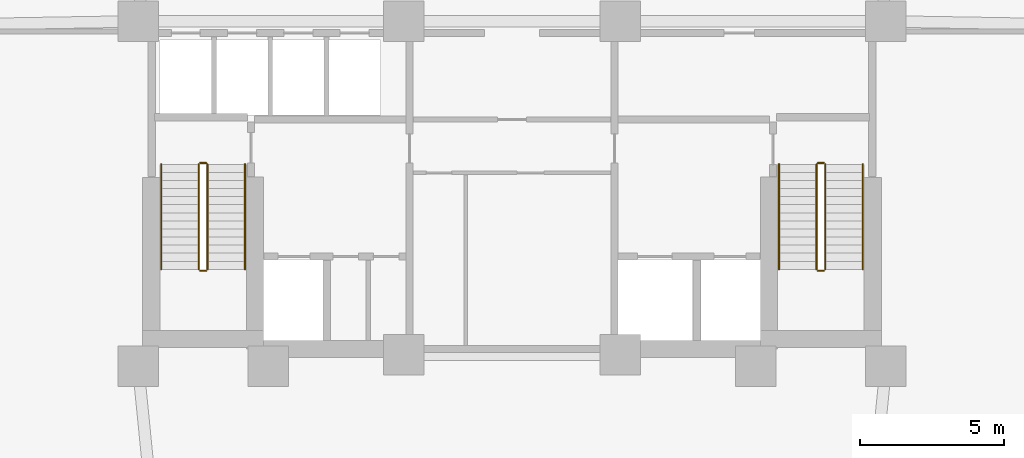
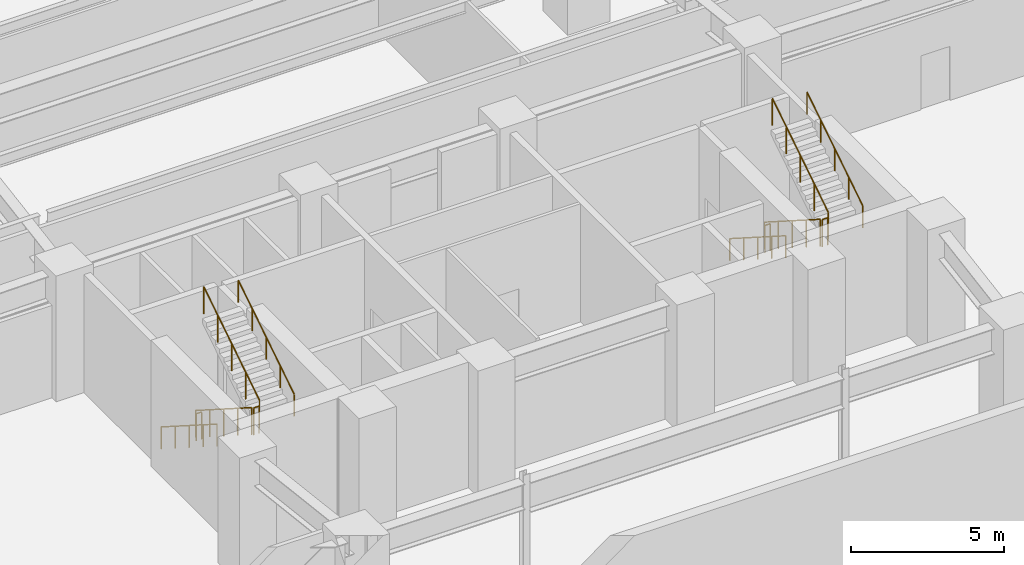
# One storey, part 10 of 12: 12 railings.
"""IFC4 building model written with IfcOpenShell, lengths in metres."""

from ifc_helpers import new_model, si_unit, direction, frame, origin, origin_2d, place, context, subcontext, project, spatial, circle, extrude, material, type_object, element, save


model = new_model("IFC4")

# Units and contexts
model_context = context("Model", 3, precision=1e-05, world=origin(), true_north=direction((0.0, 1.0)))
body_context = subcontext(model_context, "Body", "Model", "MODEL_VIEW")
ifc_project = project(units=[si_unit("LENGTHUNIT", "METRE"), si_unit("AREAUNIT", "SQUARE_METRE"), si_unit("VOLUMEUNIT", "CUBIC_METRE"), si_unit("PLANEANGLEUNIT", "RADIAN"), si_unit("MASSUNIT", "GRAM", prefix="KILO")], contexts=[model_context])

# Site, building, storey
site_placement = place(None, origin())
site = spatial("IfcSite", under=ifc_project, at=site_placement, CompositionType="ELEMENT")
building_placement = place(site_placement, origin())
building = spatial("IfcBuilding", under=site, at=building_placement, Name="Quenlor Broadcast Tower", CompositionType="ELEMENT")
storey_placement = place(building_placement, frame((0.0, 0.0, -5.0)))
storey = spatial("IfcBuildingStorey", under=building, at=storey_placement, Name="B01", CompositionType="ELEMENT", Elevation=-5.0)

# Railings
ifc_material_1 = material(Name="Anodised Aluminium", Category="aluminium")
railing_type_1 = type_object("IfcRailingType", Name="Stainless Aluminium Wall Handrail 900", PredefinedType="HANDRAIL", material=ifc_material_1)
railing_1_placement = place(storey_placement, frame((-12.14990234375, -9.75, 0.178466796875)))
element("IfcRailing", 1, at=railing_1_placement, inside=storey, type_object=railing_type_1, Name="B01 ST-1 stair handrail 1", PredefinedType="HANDRAIL", context=body_context, shape_type="SweptSolid", body=[
    extrude(circle(Radius=0.02392578125, at=origin_2d()), frame((0.0, 0.0, 0.8759765625), z_axis=(0.0, -0.843111507901, 0.53773877045), x_axis=(1.0, 0.0, 0.0)), (0.0, 0.0, 1.0), 4.317138671875),
    extrude(circle(Radius=0.02099609375, at=origin_2d()), origin(), (0.0, 0.0, 1.0), 0.851806640625),
    extrude(circle(Radius=0.02099609375, at=origin_2d()), frame((0.0, -0.909912109375, 0.580322265625)), (0.0, 0.0, 1.0), 0.851806640625),
    extrude(circle(Radius=0.02099609375, at=origin_2d()), frame((0.0, -1.81982421875, 1.16064453125)), (0.0, 0.0, 1.0), 0.851806640625),
    extrude(circle(Radius=0.02099609375, at=origin_2d()), frame((0.0, -2.72998046875, 1.7412109375)), (0.0, 0.0, 1.0), 0.851806640625),
    extrude(circle(Radius=0.02099609375, at=origin_2d()), frame((0.0, -3.639892578125, 2.321533203125)), (0.0, 0.0, 1.0), 0.851806640625),
])
railing_2_placement = place(storey_placement, frame((-9.25, -13.389892578125, 2.678466796875)))
element("IfcRailing", 2, at=railing_2_placement, inside=storey, type_object=railing_type_1, Name="B01 ST-1 stair handrail 2", PredefinedType="HANDRAIL", context=body_context, shape_type="SweptSolid", body=[
    extrude(circle(Radius=0.02392578125, at=origin_2d()), frame((0.0, 0.0, 0.8759765625), z_axis=(0.0, 0.843111507901, 0.53773877045), x_axis=(-1.0, 0.0, 0.0)), (0.0, 0.0, 1.0), 4.317138671875),
    extrude(circle(Radius=0.02099609375, at=origin_2d()), origin(), (0.0, 0.0, 1.0), 0.851806640625),
    extrude(circle(Radius=0.02099609375, at=origin_2d()), frame((0.0, 0.909912109375, 0.580322265625)), (0.0, 0.0, 1.0), 0.851806640625),
    extrude(circle(Radius=0.02099609375, at=origin_2d()), frame((0.0, 1.81982421875, 1.16064453125)), (0.0, 0.0, 1.0), 0.851806640625),
    extrude(circle(Radius=0.02099609375, at=origin_2d()), frame((0.0, 2.72998046875, 1.7412109375)), (0.0, 0.0, 1.0), 0.851806640625),
    extrude(circle(Radius=0.02099609375, at=origin_2d()), frame((0.0, 3.639892578125, 2.321533203125)), (0.0, 0.0, 1.0), 0.851806640625),
])
railing_3_placement = place(storey_placement, frame((9.25, -9.75, 0.178466796875)))
element("IfcRailing", 3, at=railing_3_placement, inside=storey, type_object=railing_type_1, Name="B01 ST-2 stair handrail 1", PredefinedType="HANDRAIL", context=body_context, shape_type="SweptSolid", body=[
    extrude(circle(Radius=0.02392578125, at=origin_2d()), frame((0.0, 0.0, 0.8759765625), z_axis=(0.0, -0.843111507901, 0.53773877045), x_axis=(1.0, 0.0, 0.0)), (0.0, 0.0, 1.0), 4.317138671875),
    extrude(circle(Radius=0.02099609375, at=origin_2d()), origin(), (0.0, 0.0, 1.0), 0.851806640625),
    extrude(circle(Radius=0.02099609375, at=origin_2d()), frame((0.0, -0.909912109375, 0.580322265625)), (0.0, 0.0, 1.0), 0.851806640625),
    extrude(circle(Radius=0.02099609375, at=origin_2d()), frame((0.0, -1.81982421875, 1.16064453125)), (0.0, 0.0, 1.0), 0.851806640625),
    extrude(circle(Radius=0.02099609375, at=origin_2d()), frame((0.0, -2.72998046875, 1.7412109375)), (0.0, 0.0, 1.0), 0.851806640625),
    extrude(circle(Radius=0.02099609375, at=origin_2d()), frame((0.0, -3.639892578125, 2.321533203125)), (0.0, 0.0, 1.0), 0.851806640625),
])
railing_4_placement = place(storey_placement, frame((12.14990234375, -13.389892578125, 2.678466796875)))
element("IfcRailing", 4, at=railing_4_placement, inside=storey, type_object=railing_type_1, Name="B01 ST-2 stair handrail 2", PredefinedType="HANDRAIL", context=body_context, shape_type="SweptSolid", body=[
    extrude(circle(Radius=0.02392578125, at=origin_2d()), frame((0.0, 0.0, 0.8759765625), z_axis=(0.0, 0.843111507901, 0.53773877045), x_axis=(-1.0, 0.0, 0.0)), (0.0, 0.0, 1.0), 4.317138671875),
    extrude(circle(Radius=0.02099609375, at=origin_2d()), origin(), (0.0, 0.0, 1.0), 0.851806640625),
    extrude(circle(Radius=0.02099609375, at=origin_2d()), frame((0.0, 0.909912109375, 0.580322265625)), (0.0, 0.0, 1.0), 0.851806640625),
    extrude(circle(Radius=0.02099609375, at=origin_2d()), frame((0.0, 1.81982421875, 1.16064453125)), (0.0, 0.0, 1.0), 0.851806640625),
    extrude(circle(Radius=0.02099609375, at=origin_2d()), frame((0.0, 2.72998046875, 1.7412109375)), (0.0, 0.0, 1.0), 0.851806640625),
    extrude(circle(Radius=0.02099609375, at=origin_2d()), frame((0.0, 3.639892578125, 2.321533203125)), (0.0, 0.0, 1.0), 0.851806640625),
])
ifc_material_2 = material(Name="Steel S355", Category="steel")
railing_type_2 = type_object("IfcRailingType", Name="Tubular Steel S355 Stair Guardrail 1100", PredefinedType="BALUSTRADE", material=ifc_material_2)
railing_5_placement = place(storey_placement, frame((-10.85009765625, -9.75, 0.178466796875)))
element("IfcRailing", 5, at=railing_5_placement, inside=storey, type_object=railing_type_2, Name="B01 ST-1 stair guard 1", PredefinedType="BALUSTRADE", context=body_context, shape_type="SweptSolid", body=[
    extrude(circle(Radius=0.02392578125, at=origin_2d()), frame((0.0, 0.0, 1.076171875), z_axis=(0.0, -0.843111507901, 0.53773877045), x_axis=(1.0, 0.0, 0.0)), (0.0, 0.0, 1.0), 4.317138671875),
    extrude(circle(Radius=0.02099609375, at=origin_2d()), origin(), (0.0, 0.0, 1.0), 1.052001953125),
    extrude(circle(Radius=0.02099609375, at=origin_2d()), frame((0.0, -0.909912109375, 0.580322265625)), (0.0, 0.0, 1.0), 1.052001953125),
    extrude(circle(Radius=0.02099609375, at=origin_2d()), frame((0.0, -1.81982421875, 1.16064453125)), (0.0, 0.0, 1.0), 1.052001953125),
    extrude(circle(Radius=0.02099609375, at=origin_2d()), frame((0.0, -2.72998046875, 1.7412109375)), (0.0, 0.0, 1.0), 1.052001953125),
    extrude(circle(Radius=0.02099609375, at=origin_2d()), frame((0.0, -3.639892578125, 2.321533203125)), (0.0, 0.0, 1.0), 1.052001953125),
])
railing_6_placement = place(storey_placement, frame((-10.800048828125, -13.43994140625, 2.5)))
element("IfcRailing", 6, at=railing_6_placement, inside=storey, type_object=railing_type_2, Name="B01 ST-1 stair guard 2", PredefinedType="BALUSTRADE", context=body_context, shape_type="SweptSolid", body=[
    extrude(circle(Radius=0.02392578125, at=origin_2d()), frame((0.0, 0.0, 1.076171875), z_axis=(1.0, 0.0, 0.0), x_axis=(0.0, 1.0, 0.0)), (0.0, 0.0, 1.0), 0.199951171875),
    extrude(circle(Radius=0.02099609375, at=origin_2d()), origin(), (0.0, 0.0, 1.0), 1.052001953125),
    extrude(circle(Radius=0.02099609375, at=origin_2d()), frame((0.199951171875, 0.0, 0.0)), (0.0, 0.0, 1.0), 1.052001953125),
])
railing_7_placement = place(storey_placement, frame((-10.550048828125, -13.389892578125, 2.678466796875)))
element("IfcRailing", 7, at=railing_7_placement, inside=storey, type_object=railing_type_2, Name="B01 ST-1 stair guard 3", PredefinedType="BALUSTRADE", context=body_context, shape_type="SweptSolid", body=[
    extrude(circle(Radius=0.02392578125, at=origin_2d()), frame((0.0, 0.0, 1.076171875), z_axis=(0.0, 0.843111507901, 0.53773877045), x_axis=(-1.0, 0.0, 0.0)), (0.0, 0.0, 1.0), 4.317138671875),
    extrude(circle(Radius=0.02099609375, at=origin_2d()), origin(), (0.0, 0.0, 1.0), 1.052001953125),
    extrude(circle(Radius=0.02099609375, at=origin_2d()), frame((0.0, 0.909912109375, 0.580322265625)), (0.0, 0.0, 1.0), 1.052001953125),
    extrude(circle(Radius=0.02099609375, at=origin_2d()), frame((0.0, 1.81982421875, 1.16064453125)), (0.0, 0.0, 1.0), 1.052001953125),
    extrude(circle(Radius=0.02099609375, at=origin_2d()), frame((0.0, 2.72998046875, 1.7412109375)), (0.0, 0.0, 1.0), 1.052001953125),
    extrude(circle(Radius=0.02099609375, at=origin_2d()), frame((0.0, 3.639892578125, 2.321533203125)), (0.0, 0.0, 1.0), 1.052001953125),
])
railing_8_placement = place(storey_placement, frame((-10.800048828125, -9.699951171875, 0.0)))
element("IfcRailing", 8, at=railing_8_placement, inside=storey, type_object=railing_type_2, Name="B01 ST-1 stair guard 4", PredefinedType="BALUSTRADE", context=body_context, shape_type="SweptSolid", body=[
    extrude(circle(Radius=0.02392578125, at=origin_2d()), frame((0.0, 0.0, 1.076171875), z_axis=(1.0, 0.0, 0.0), x_axis=(0.0, 1.0, 0.0)), (0.0, 0.0, 1.0), 0.199951171875),
    extrude(circle(Radius=0.02099609375, at=origin_2d()), origin(), (0.0, 0.0, 1.0), 1.052001953125),
    extrude(circle(Radius=0.02099609375, at=origin_2d()), frame((0.199951171875, 0.0, 0.0)), (0.0, 0.0, 1.0), 1.052001953125),
])
railing_9_placement = place(storey_placement, frame((10.550048828125, -9.75, 0.178466796875)))
element("IfcRailing", 9, at=railing_9_placement, inside=storey, type_object=railing_type_2, Name="B01 ST-2 stair guard 1", PredefinedType="BALUSTRADE", context=body_context, shape_type="SweptSolid", body=[
    extrude(circle(Radius=0.02392578125, at=origin_2d()), frame((0.0, 0.0, 1.076171875), z_axis=(0.0, -0.843111507901, 0.53773877045), x_axis=(1.0, 0.0, 0.0)), (0.0, 0.0, 1.0), 4.317138671875),
    extrude(circle(Radius=0.02099609375, at=origin_2d()), origin(), (0.0, 0.0, 1.0), 1.052001953125),
    extrude(circle(Radius=0.02099609375, at=origin_2d()), frame((0.0, -0.909912109375, 0.580322265625)), (0.0, 0.0, 1.0), 1.052001953125),
    extrude(circle(Radius=0.02099609375, at=origin_2d()), frame((0.0, -1.81982421875, 1.16064453125)), (0.0, 0.0, 1.0), 1.052001953125),
    extrude(circle(Radius=0.02099609375, at=origin_2d()), frame((0.0, -2.72998046875, 1.7412109375)), (0.0, 0.0, 1.0), 1.052001953125),
    extrude(circle(Radius=0.02099609375, at=origin_2d()), frame((0.0, -3.639892578125, 2.321533203125)), (0.0, 0.0, 1.0), 1.052001953125),
])
railing_10_placement = place(storey_placement, frame((10.60009765625, -13.43994140625, 2.5)))
element("IfcRailing", 10, at=railing_10_placement, inside=storey, type_object=railing_type_2, Name="B01 ST-2 stair guard 2", PredefinedType="BALUSTRADE", context=body_context, shape_type="SweptSolid", body=[
    extrude(circle(Radius=0.02392578125, at=origin_2d()), frame((0.0, 0.0, 1.076171875), z_axis=(1.0, 0.0, 0.0), x_axis=(0.0, 1.0, 0.0)), (0.0, 0.0, 1.0), 0.199951171875),
    extrude(circle(Radius=0.02099609375, at=origin_2d()), origin(), (0.0, 0.0, 1.0), 1.052001953125),
    extrude(circle(Radius=0.02099609375, at=origin_2d()), frame((0.199951171875, 0.0, 0.0)), (0.0, 0.0, 1.0), 1.052001953125),
])
railing_11_placement = place(storey_placement, frame((10.85009765625, -13.389892578125, 2.678466796875)))
element("IfcRailing", 11, at=railing_11_placement, inside=storey, type_object=railing_type_2, Name="B01 ST-2 stair guard 3", PredefinedType="BALUSTRADE", context=body_context, shape_type="SweptSolid", body=[
    extrude(circle(Radius=0.02392578125, at=origin_2d()), frame((0.0, 0.0, 1.076171875), z_axis=(0.0, 0.843111507901, 0.53773877045), x_axis=(-1.0, 0.0, 0.0)), (0.0, 0.0, 1.0), 4.317138671875),
    extrude(circle(Radius=0.02099609375, at=origin_2d()), origin(), (0.0, 0.0, 1.0), 1.052001953125),
    extrude(circle(Radius=0.02099609375, at=origin_2d()), frame((0.0, 0.909912109375, 0.580322265625)), (0.0, 0.0, 1.0), 1.052001953125),
    extrude(circle(Radius=0.02099609375, at=origin_2d()), frame((0.0, 1.81982421875, 1.16064453125)), (0.0, 0.0, 1.0), 1.052001953125),
    extrude(circle(Radius=0.02099609375, at=origin_2d()), frame((0.0, 2.72998046875, 1.7412109375)), (0.0, 0.0, 1.0), 1.052001953125),
    extrude(circle(Radius=0.02099609375, at=origin_2d()), frame((0.0, 3.639892578125, 2.321533203125)), (0.0, 0.0, 1.0), 1.052001953125),
])
railing_12_placement = place(storey_placement, frame((10.60009765625, -9.699951171875, 0.0)))
element("IfcRailing", 12, at=railing_12_placement, inside=storey, type_object=railing_type_2, Name="B01 ST-2 stair guard 4", PredefinedType="BALUSTRADE", context=body_context, shape_type="SweptSolid", body=[
    extrude(circle(Radius=0.02392578125, at=origin_2d()), frame((0.0, 0.0, 1.076171875), z_axis=(1.0, 0.0, 0.0), x_axis=(0.0, 1.0, 0.0)), (0.0, 0.0, 1.0), 0.199951171875),
    extrude(circle(Radius=0.02099609375, at=origin_2d()), origin(), (0.0, 0.0, 1.0), 1.052001953125),
    extrude(circle(Radius=0.02099609375, at=origin_2d()), frame((0.199951171875, 0.0, 0.0)), (0.0, 0.0, 1.0), 1.052001953125),
])

save(model, "model.ifc")
